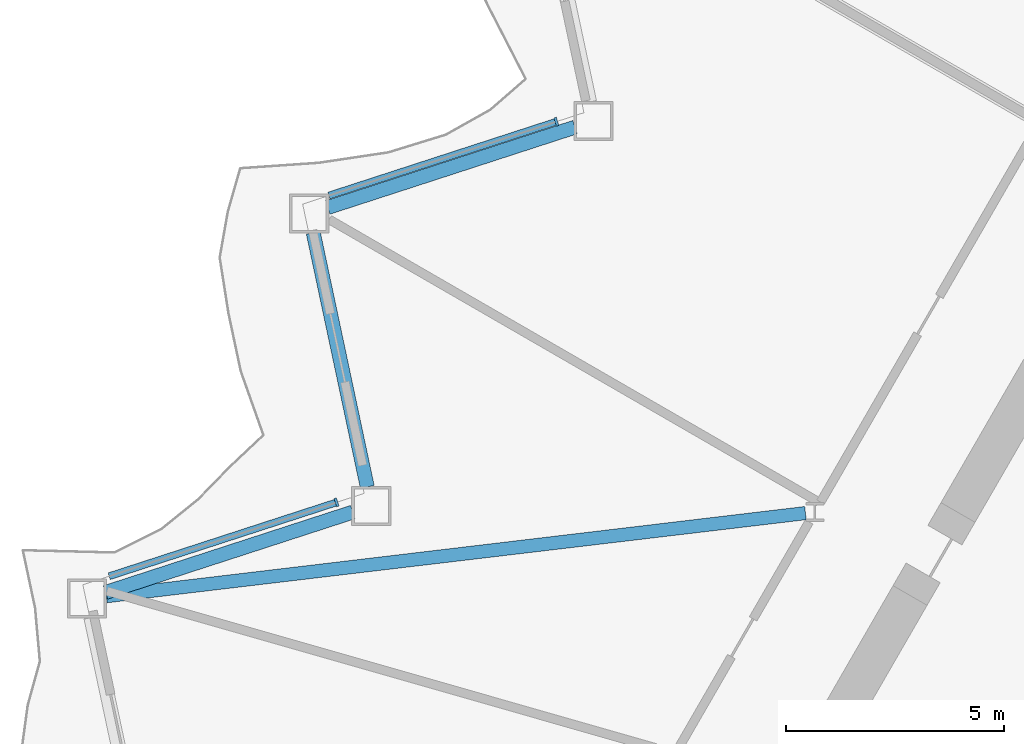
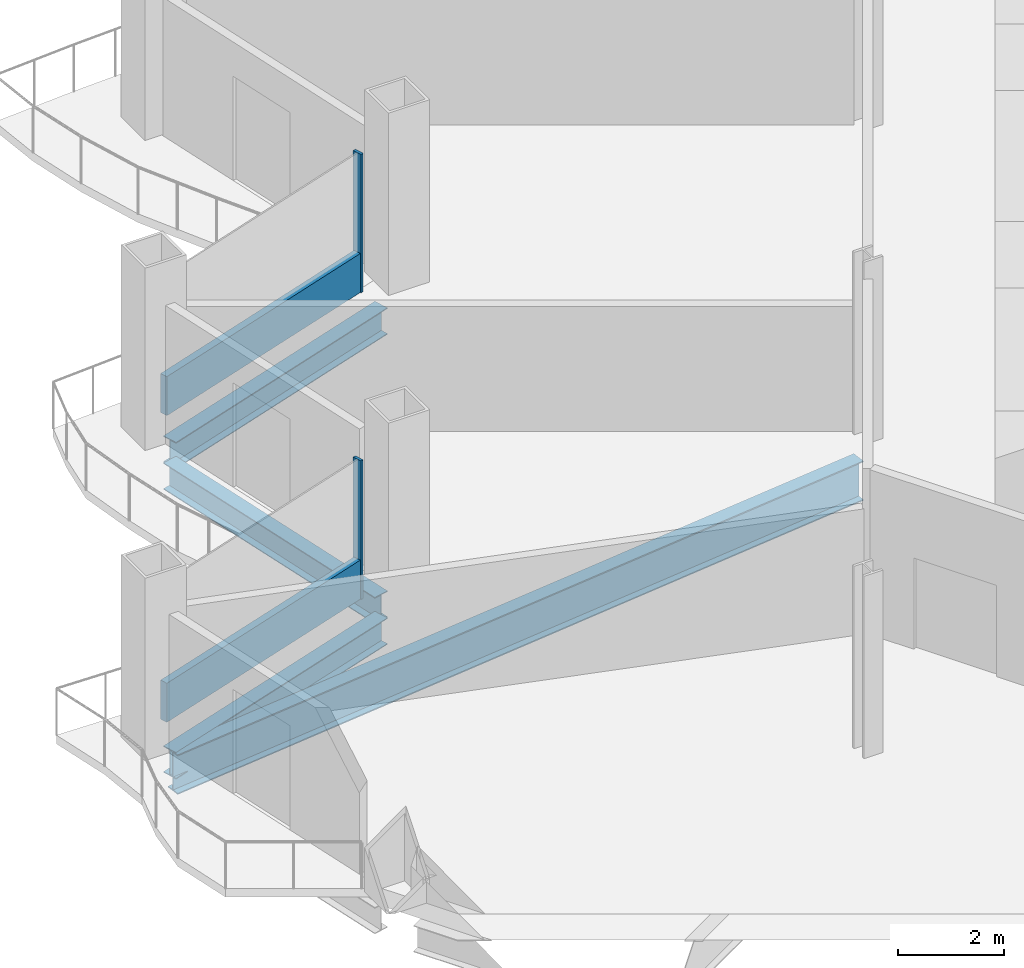
# One storey, part 4 of 21: 4 beams, 4 members, 2 elements without a shape of their own.
"""IFC4 building model written with IfcOpenShell, lengths in metres."""

from ifc_helpers import new_model, si_unit, direction, frame, origin, origin_2d, place, context, subcontext, project, spatial, rectangle, i_section, extrude, material, layer, layer_set, material_profile, profile_set, type_object, element, aggregate, save


model = new_model("IFC4")

# Units and contexts
model_context = context("Model", 3, precision=1e-05, world=origin(), true_north=direction((0.0, 1.0)))
body_context = subcontext(model_context, "Body", "Model", "MODEL_VIEW")
ifc_project = project(units=[si_unit("LENGTHUNIT", "METRE"), si_unit("AREAUNIT", "SQUARE_METRE"), si_unit("VOLUMEUNIT", "CUBIC_METRE"), si_unit("PLANEANGLEUNIT", "RADIAN"), si_unit("MASSUNIT", "GRAM", prefix="KILO")], contexts=[model_context])

# Site, building, storey
site_placement = place(None, origin())
site = spatial("IfcSite", under=ifc_project, at=site_placement, CompositionType="ELEMENT")
building_placement = place(site_placement, origin())
building = spatial("IfcBuilding", under=site, at=building_placement, Name="Cormorant Prow Tower", CompositionType="ELEMENT")
storey_placement = place(building_placement, frame((0.0, 0.0, 129.0)))
storey = spatial("IfcBuildingStorey", under=building, at=storey_placement, Name="L27", CompositionType="ELEMENT", Elevation=129.0)

# Curtain wall, member
ifc_material_1 = material(Name="Aluminium 6063-T6", Category="aluminium")
ifc_layer = layer(ifc_material_1, 0.199951171875)
ifc_layer_set = layer_set([ifc_layer], Name="Aluminium 6063-T6")
curtain_wall_type = type_object("IfcCurtainWallType", Name="Office unitised curtain wall 200", PredefinedType="NOTDEFINED", material=ifc_layer_set)
curtain_wall_1_placement = place(storey_placement, origin())
curtain_wall_1 = element("IfcCurtainWall", 1, at=curtain_wall_1_placement, inside=storey, type_object=curtain_wall_type, Name="Office curtain wall WNW06", PredefinedType="NOTDEFINED")
ifc_material_2 = material(Name="Aluminium 6063-T6", Category="aluminium")
ifc_material_profile_1 = material_profile(ifc_material_2, rectangle(XDim=0.199951171875, YDim=0.06005859375, at=origin_2d()), Name="Office mullion 60x200")
ifc_profile_set_1 = profile_set([ifc_material_profile_1], Name="Aluminium 6063-T6")
member_type_1 = type_object("IfcMemberType", Name="Office mullion 60x200", PredefinedType="MULLION", material=ifc_profile_set_1)
member_1_placement = place(storey_placement, frame((-21.4248046875, 5.974365234375, 0.0), z_axis=(0.0, 0.0, 1.0), x_axis=(0.309017072623, -0.951056490871, 0.0)))
member_1 = element("IfcMember", 2, at=member_1_placement, type_object=member_type_1, Name="Office mullion WNW06", PredefinedType="MULLION", context=body_context, shape_type="SweptSolid", body=[
    extrude(rectangle(XDim=0.199951171875, YDim=0.06005859375, at=origin_2d()), origin(), (0.0, 0.0, 1.0), 3.18896484375),
])

curtain_wall_2_placement = place(storey_placement, origin())
curtain_wall_2 = element("IfcCurtainWall", 3, at=curtain_wall_2_placement, inside=storey, type_object=curtain_wall_type, Name="Office curtain wall WNW08", PredefinedType="NOTDEFINED")
member_2_placement = place(storey_placement, frame((-26.468017578125, -2.760986328125, 0.0), z_axis=(0.0, 0.0, 1.0), x_axis=(0.309017072623, -0.951056490871, 0.0)))
member_2 = element("IfcMember", 4, at=member_2_placement, type_object=member_type_1, Name="Office mullion WNW08", PredefinedType="MULLION", context=body_context, shape_type="SweptSolid", body=[
    extrude(rectangle(XDim=0.199951171875, YDim=0.06005859375, at=origin_2d()), origin(), (0.0, 0.0, 1.0), 3.18896484375),
])

# Member
ifc_material_3 = material(Name="Terracotta", Category="masonry")
ifc_material_profile_2 = material_profile(ifc_material_3, rectangle(XDim=0.159912109375, YDim=0.89990234375, at=origin_2d()), Name="Office terracotta spandrel rail 160x900")
ifc_profile_set_2 = profile_set([ifc_material_profile_2], Name="Terracotta")
member_type_2 = type_object("IfcMemberType", Name="Office terracotta spandrel rail 160x900", PredefinedType="USERDEFINED", material=ifc_profile_set_2)
member_3_placement = place(storey_placement, frame((-21.453369140625, 5.965087890625, 0.449951171875), z_axis=(-0.951055118029, -0.309021297763, 0.0), x_axis=(0.309021297763, -0.951055118029, 0.0)))
member_3 = element("IfcMember", 5, at=member_3_placement, type_object=member_type_2, Name="Office spandrel rail WNW06", ObjectType="TRANSOM", PredefinedType="USERDEFINED", context=body_context, shape_type="SweptSolid", body=[
    extrude(rectangle(XDim=0.159912109375, YDim=0.89990234375, at=origin_2d()), origin(), (0.0, 0.0, 1.0), 5.45458984375),
])

aggregate(curtain_wall_1, [member_1, member_3])

member_4_placement = place(storey_placement, frame((-26.49658203125, -2.770263671875, 0.449951171875), z_axis=(-0.951059392051, -0.30900814357, 0.0), x_axis=(0.30900814357, -0.951059392051, 0.0)))
member_4 = element("IfcMember", 6, at=member_4_placement, type_object=member_type_2, Name="Office spandrel rail WNW08", ObjectType="TRANSOM", PredefinedType="USERDEFINED", context=body_context, shape_type="SweptSolid", body=[
    extrude(rectangle(XDim=0.159912109375, YDim=0.89990234375, at=origin_2d()), origin(), (0.0, 0.0, 1.0), 5.45458984375),
])

aggregate(curtain_wall_2, [member_2, member_4])

# Beams
ifc_material_4 = material(Name="Structural steel ASTM A992 Gr 50", Category="steel")
ifc_material_profile_3 = material_profile(ifc_material_4, i_section(OverallWidth=0.3046875, OverallDepth=0.914794921875, WebThickness=0.0166015625, FlangeThickness=0.02587890625, at=origin_2d()), Name="W36x160")
ifc_profile_set_3 = profile_set([ifc_material_profile_3], Name="Structural steel ASTM A992 Gr 50")
beam_type_1 = type_object("IfcBeamType", Name="Radial floor beam W36x160", PredefinedType="BEAM", material=ifc_profile_set_3)
beam_1_placement = place(storey_placement, frame((-15.70849609375, -3.00732421875, -0.857421875), z_axis=(-0.993009167646, -0.118037252474, 0.0), x_axis=(0.118037252474, -0.993009167646, 0.0)))
element("IfcBeam", 7, at=beam_1_placement, inside=storey, type_object=beam_type_1, Name="Radial floor beam FB1 4 L27", PredefinedType="BEAM", context=body_context, shape_type="SweptSolid", body=[
    extrude(i_section(OverallWidth=0.3046875, OverallDepth=0.914794921875, WebThickness=0.0166015625, FlangeThickness=0.02587890625, at=origin_2d()), origin(), (0.0, 0.0, 1.0), 16.15380859375),
])
ifc_material_5 = material(Name="Structural steel ASTM A992 Gr 50", Category="steel")
ifc_material_profile_4 = material_profile(ifc_material_5, i_section(OverallWidth=0.32373046875, OverallDepth=0.611083984375, WebThickness=0.0126953125, FlangeThickness=0.01904296875, at=origin_2d()), Name="W24x104")
ifc_profile_set_4 = profile_set([ifc_material_profile_4], Name="Structural steel ASTM A992 Gr 50")
beam_type_2 = type_object("IfcBeamType", Name="Spandrel beam W24x104", PredefinedType="SPANDREL", material=ifc_profile_set_4)
beam_2_placement = place(storey_placement, frame((-20.99755859375, 5.847900390625, -0.70556640625), z_axis=(-0.951055430656, -0.309020335608, 0.0), x_axis=(0.309020335608, -0.951055430656, 0.0)))
element("IfcBeam", 8, at=beam_2_placement, inside=storey, type_object=beam_type_2, Name="Spandrel beam SB1 WNW06-WNW07 L27", PredefinedType="SPANDREL", context=body_context, shape_type="SweptSolid", body=[
    extrude(i_section(OverallWidth=0.32373046875, OverallDepth=0.611083984375, WebThickness=0.0126953125, FlangeThickness=0.01904296875, at=origin_2d()), origin(), (0.0, 0.0, 1.0), 5.96240234375),
])
for number, where, z_axis, x_axis, name in (
    (9, (-27.002685546875, 3.426025390625, -0.70556640625), (0.207920947907, -0.978145633033, 0.0), (0.978145633033, 0.207920947907, 0.0), "Spandrel beam SB1 WNW07-WNW08 L27"),
    (10, (-26.097412109375, -2.985595703125, -0.70556640625), (-0.951059340519, -0.309008302174, 0.0), (0.309008302174, -0.951059340519, 0.0), "Spandrel beam SB1 WNW08-WNW09 L27"),
):
    element("IfcBeam", number, at=place(storey_placement, frame(where, z_axis=z_axis, x_axis=x_axis)), inside=storey, type_object=beam_type_2, Name=name, PredefinedType="SPANDREL", context=body_context, shape_type="SweptSolid", body=[
        extrude(i_section(OverallWidth=0.32373046875, OverallDepth=0.611083984375, WebThickness=0.0126953125, FlangeThickness=0.01904296875, at=origin_2d()), origin(), (0.0, 0.0, 1.0), 5.962646484375),
    ])

save(model, "model.ifc")
